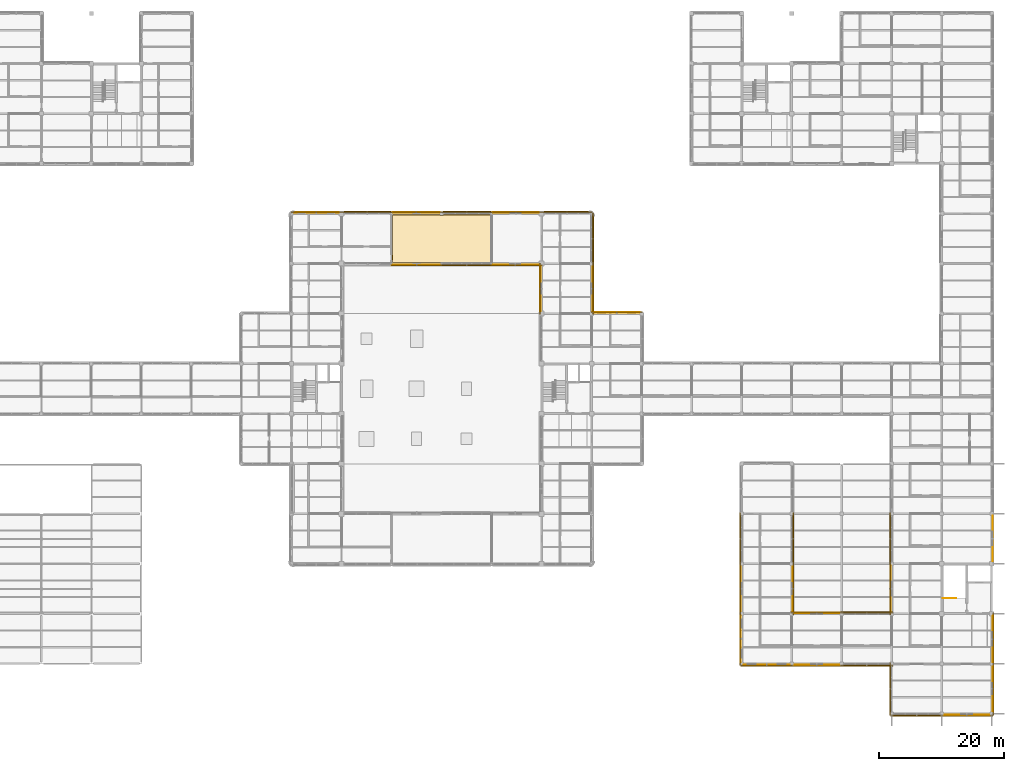
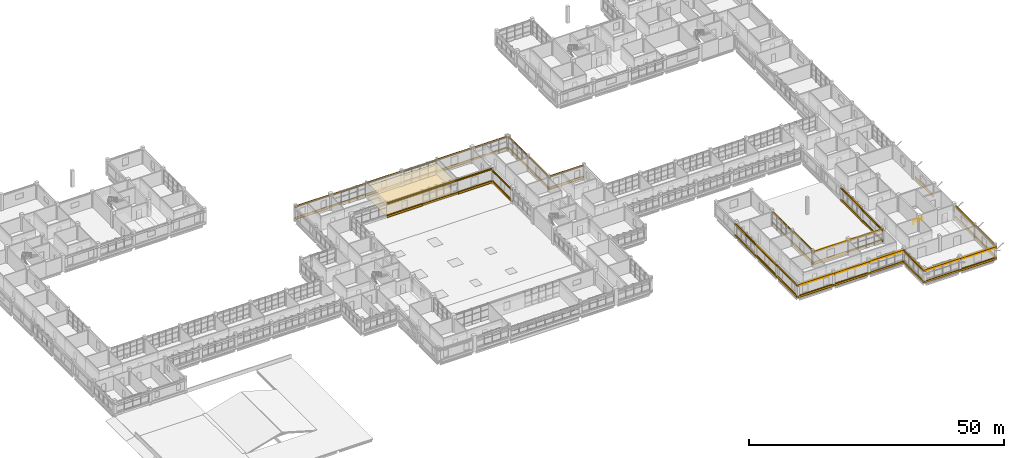
# One storey, part 102 of 107: 81 coverings, 32 shading devices, 1 railing.
"""IFC4 building model written with IfcOpenShell, lengths in metres."""

from ifc_helpers import new_model, si_unit, derived_unit, direction, frame, origin, origin_2d, place, context, subcontext, project, spatial, polyline, rectangle, circle, outline, extrude, material, layer, layer_set, material_profile, profile_set, type_object, element, save


model = new_model("IFC4")

# Units and contexts
model_context = context("Model", 3, precision=1e-05, world=origin(), true_north=direction((0.0, 1.0)))
body_context = subcontext(model_context, "Body", "Model", "MODEL_VIEW")
ifc_project = project(units=[si_unit("LENGTHUNIT", "METRE"), si_unit("AREAUNIT", "SQUARE_METRE"), si_unit("VOLUMEUNIT", "CUBIC_METRE"), si_unit("PLANEANGLEUNIT", "RADIAN"), si_unit("MASSUNIT", "GRAM", prefix="KILO"), derived_unit("THERMALTRANSMITTANCEUNIT", [(si_unit("MASSUNIT", "GRAM", prefix="KILO"), 1), (si_unit("TIMEUNIT", "SECOND"), -3), (si_unit("THERMODYNAMICTEMPERATUREUNIT", "KELVIN"), -1)])], contexts=[model_context])

# Site, building, storey
site_placement = place(None, origin())
site = spatial("IfcSite", under=ifc_project, at=site_placement, CompositionType="ELEMENT")
building_placement = place(site_placement, origin())
building = spatial("IfcBuilding", under=site, at=building_placement, Name="Veyamyaing Civic Hall", CompositionType="ELEMENT")
storey_placement = place(building_placement, frame((0.0, 0.0, 13.860107421875)))
storey = spatial("IfcBuildingStorey", under=building, at=storey_placement, Name="L03", CompositionType="ELEMENT", Elevation=13.860107421875)

# Coverings
ifc_material_1 = material(Name="Buff sandstone ashlar cladding", Category="masonry")
ifc_layer_1 = layer(ifc_material_1, 0.050048828125, Name="Buff sandstone ashlar cladding")
ifc_layer_set_1 = layer_set([ifc_layer_1], Name="Buff sandstone ashlar cladding")
covering_type_1 = type_object("IfcCoveringType", Name="CL-01", PredefinedType="CLADDING", material=ifc_layer_set_1)
covering_1_placement = place(storey_placement, frame((67.9375, 80.173583984375, 0.044921875), z_axis=(0.0, 0.0, 1.0), x_axis=(1.0, 0.0, 0.0)))
element("IfcCovering", 1, at=covering_1_placement, inside=storey, type_object=covering_type_1, Name="Facade spandrel cladding CL-01 L03 N 9.10", PredefinedType="CLADDING", context=body_context, shape_type="SweptSolid", body=[
    extrude(rectangle(XDim=7.27490234375, YDim=0.050048828125, at=origin_2d()), origin(), (0.0, 0.0, 1.0), 0.75),
])
covering_2_placement = place(storey_placement, frame((84.0, 71.826416015625, 0.044921875), z_axis=(0.0, 0.0, 1.0), x_axis=(1.0, 0.0, 0.0)))
element("IfcCovering", 2, at=covering_2_placement, inside=storey, type_object=covering_type_1, Name="Facade spandrel cladding CL-01 L03 S 11.10", PredefinedType="CLADDING", context=body_context, shape_type="SweptSolid", body=[
    extrude(rectangle(XDim=7.919921875, YDim=0.050048828125, at=origin_2d()), origin(), (0.0, 0.0, 1.0), 0.75),
])
covering_3_placement = place(storey_placement, frame((83.95458984375, 80.173583984375, 0.044921875), z_axis=(0.0, 0.0, 1.0), x_axis=(1.0, 0.0, 0.0)))
element("IfcCovering", 3, at=covering_3_placement, inside=storey, type_object=covering_type_1, Name="Facade spandrel cladding CL-01 L03 N 11.10", PredefinedType="CLADDING", context=body_context, shape_type="SweptSolid", body=[
    extrude(rectangle(XDim=7.490478515625, YDim=0.050048828125, at=origin_2d()), origin(), (0.0, 0.0, 1.0), 0.75),
])
covering_4_placement = place(storey_placement, frame((99.8076171875, 71.826416015625, 0.044921875), z_axis=(0.0, 0.0, 1.0), x_axis=(1.0, 0.0, 0.0)))
element("IfcCovering", 4, at=covering_4_placement, inside=storey, type_object=covering_type_1, Name="Facade spandrel cladding CL-01 L03 S 13.10", PredefinedType="CLADDING", context=body_context, shape_type="SweptSolid", body=[
    extrude(rectangle(XDim=7.534912109375, YDim=0.050048828125, at=origin_2d()), origin(), (0.0, 0.0, 1.0), 0.75),
])
covering_5_placement = place(storey_placement, frame((99.89208984375, 80.173583984375, 0.044921875), z_axis=(0.0, 0.0, 1.0), x_axis=(1.0, 0.0, 0.0)))
element("IfcCovering", 5, at=covering_5_placement, inside=storey, type_object=covering_type_1, Name="Facade spandrel cladding CL-01 L03 N 13.10", PredefinedType="CLADDING", context=body_context, shape_type="SweptSolid", body=[
    extrude(rectangle(XDim=7.365478515625, YDim=0.050048828125, at=origin_2d()), origin(), (0.0, 0.0, 1.0), 0.75),
])
covering_6_placement = place(storey_placement, frame((103.826416015625, 68.0, 0.044921875), z_axis=(0.0, 0.0, 1.0), x_axis=(0.0, 1.0, 0.0)))
element("IfcCovering", 6, at=covering_6_placement, inside=storey, type_object=covering_type_1, Name="Facade spandrel cladding CL-01 L03 W 14.9", PredefinedType="CLADDING", context=body_context, shape_type="SweptSolid", body=[
    extrude(rectangle(XDim=7.14990234375, YDim=0.050048828125, at=origin_2d()), origin(), (0.0, 0.0, 1.0), 0.75),
])
for number, where, z_axis, x_axis, name in (
    (7, (112.173583984375, 68.0, 0.044921875), (0.0, 0.0, 1.0), (0.0, 1.0, 0.0), "Facade spandrel cladding CL-01 L03 E 14.9"),
    (8, (116.0, 64.173583984375, 0.044921875), (0.0, 0.0, 1.0), (1.0, 0.0, 0.0), "Facade spandrel cladding CL-01 L03 N 15.8"),
    (9, (135.843994140625, 20.0, 0.044921875), (0.0, 0.0, 1.0), (0.0, 1.0, 0.0), "Facade spandrel cladding CL-01 L03 W 18.3"),
    (10, (144.156005859375, 20.0, 0.044921875), (0.0, 0.0, 1.0), (0.0, 1.0, 0.0), "Facade spandrel cladding CL-01 L03 E 18.3"),
    (11, (148.0, 7.843994140625, 0.044921875), (0.0, 0.0, 1.0), (1.0, 0.0, 0.0), "Facade spandrel cladding CL-01 L03 S 19.2"),
    (12, (148.0, 16.156005859375, 0.044921875), (0.0, 0.0, 1.0), (1.0, 0.0, 0.0), "Facade spandrel cladding CL-01 L03 N 19.2"),
    (13, (172.0, -0.156005859375, 0.044921875), (0.0, 0.0, 1.0), (1.0, 0.0, 0.0), "Facade spandrel cladding CL-01 L03 S 22.1"),
    (14, (176.156005859375, 4.0, 0.044921875), (0.0, 0.0, 1.0), (0.0, 1.0, 0.0), "Facade spandrel cladding CL-01 L03 E 22.1"),
):
    element("IfcCovering", number, at=place(storey_placement, frame(where, z_axis=z_axis, x_axis=x_axis)), inside=storey, type_object=covering_type_1, Name=name, PredefinedType="CLADDING", context=body_context, shape_type="SweptSolid", body=[
        extrude(rectangle(XDim=7.39990234375, YDim=0.050048828125, at=origin_2d()), origin(), (0.0, 0.0, 1.0), 0.75),
    ])
ifc_material_2 = material(Name="Turquoise glazed ceramic tile cladding", Category="masonry")
ifc_layer_2 = layer(ifc_material_2, 0.034912109375, Name="Turquoise glazed ceramic tile cladding")
ifc_layer_set_2 = layer_set([ifc_layer_2], Name="Turquoise glazed ceramic tile cladding")
covering_type_2 = type_object("IfcCoveringType", Name="CL-02", PredefinedType="CLADDING", material=ifc_layer_set_2)
for number, where, z_axis, x_axis, name in (
    (15, (140.0, 7.8515625, 0.044921875), (0.0, 0.0, 1.0), (1.0, 0.0, 0.0), "Facade spandrel cladding CL-02 L03 S 18.2"),
    (16, (135.8515625, 12.0, 0.044921875), (0.0, 0.0, 1.0), (0.0, 1.0, 0.0), "Facade spandrel cladding CL-02 L03 W 18.2"),
    (17, (159.8515625, 20.0, 0.044921875), (0.0, 0.0, 1.0), (0.0, 1.0, 0.0), "Facade spandrel cladding CL-02 L03 W 21.3"),
):
    element("IfcCovering", number, at=place(storey_placement, frame(where, z_axis=z_axis, x_axis=x_axis)), inside=storey, type_object=covering_type_2, Name=name, PredefinedType="CLADDING", context=body_context, shape_type="SweptSolid", body=[
        extrude(rectangle(XDim=7.39990234375, YDim=0.034912109375, at=origin_2d()), origin(), (0.0, 0.0, 1.0), 0.75),
    ])
for number, where, z_axis, x_axis, name in (
    (18, (176.1484375, 11.96240234375, 0.044921875), (0.0, 0.0, 1.0), (0.0, 1.0, 0.0), "Facade spandrel cladding CL-02 L03 E 22.2"),
    (19, (176.1484375, 28.03759765625, 0.044921875), (0.0, 0.0, 1.0), (0.0, 1.0, 0.0), "Facade spandrel cladding CL-02 L03 E 22.4"),
):
    element("IfcCovering", number, at=place(storey_placement, frame(where, z_axis=z_axis, x_axis=x_axis)), inside=storey, type_object=covering_type_2, Name=name, PredefinedType="CLADDING", context=body_context, shape_type="SweptSolid", body=[
        extrude(rectangle(XDim=7.324951171875, YDim=0.034912109375, at=origin_2d()), origin(), (0.0, 0.0, 1.0), 0.75),
    ])
ifc_material_3 = material(Name="White powder-coated aluminium 6063-T6", Category="aluminium")
ifc_layer_3 = layer(ifc_material_3, 0.2099609375, Name="White powder-coated aluminium 6063-T6")
ifc_layer_set_3 = layer_set([ifc_layer_3], Name="White powder-coated aluminium 6063-T6")
covering_type_3 = type_object("IfcCoveringType", Name="CL-03", PredefinedType="CLADDING", material=ifc_layer_set_3)
for number, where, z_axis, x_axis, name in (
    (20, (68.0, 80.239990234375, 2.98388671875), (0.0, 0.0, 1.0), (1.0, 0.0, 0.0), "Continuous white head fascia ribbon CL-03 L03 N 9.10"),
    (21, (68.0, 80.239990234375, 0.280029296875), (0.0, 0.0, 1.0), (1.0, 0.0, 0.0), "Continuous white sill fascia ribbon CL-03 L03 N 9.10"),
    (22, (76.0, 80.239990234375, 2.9189453125), (0.0, 0.0, 1.0), (1.0, 0.0, 0.0), "Continuous white head fascia ribbon CL-03 L03 N 10.10"),
    (23, (76.0, 80.239990234375, 0.280029296875), (0.0, 0.0, 1.0), (1.0, 0.0, 0.0), "Continuous white sill fascia ribbon CL-03 L03 N 10.10"),
    (24, (84.0, 71.760009765625, 3.344970703125), (0.0, 0.0, 1.0), (1.0, 0.0, 0.0), "Continuous white head fascia ribbon CL-03 L03 S 11.10"),
    (25, (84.0, 71.760009765625, 0.280029296875), (0.0, 0.0, 1.0), (1.0, 0.0, 0.0), "Continuous white sill fascia ribbon CL-03 L03 S 11.10"),
    (26, (84.0, 80.239990234375, 2.98193359375), (0.0, 0.0, 1.0), (1.0, 0.0, 0.0), "Continuous white head fascia ribbon CL-03 L03 N 11.10"),
    (27, (84.0, 80.239990234375, 0.280029296875), (0.0, 0.0, 1.0), (1.0, 0.0, 0.0), "Continuous white sill fascia ribbon CL-03 L03 N 11.10"),
    (28, (92.0, 71.760009765625, 3.344970703125), (0.0, 0.0, 1.0), (1.0, 0.0, 0.0), "Continuous white head fascia ribbon CL-03 L03 S 12.10"),
    (29, (92.0, 71.760009765625, 0.280029296875), (0.0, 0.0, 1.0), (1.0, 0.0, 0.0), "Continuous white sill fascia ribbon CL-03 L03 S 12.10"),
    (30, (92.0, 80.239990234375, 2.9150390625), (0.0, 0.0, 1.0), (1.0, 0.0, 0.0), "Continuous white head fascia ribbon CL-03 L03 N 12.10"),
    (31, (92.0, 80.239990234375, 0.280029296875), (0.0, 0.0, 1.0), (1.0, 0.0, 0.0), "Continuous white sill fascia ribbon CL-03 L03 N 12.10"),
    (32, (100.0, 71.760009765625, 3.344970703125), (0.0, 0.0, 1.0), (1.0, 0.0, 0.0), "Continuous white head fascia ribbon CL-03 L03 S 13.10"),
    (33, (100.0, 71.760009765625, 0.280029296875), (0.0, 0.0, 1.0), (1.0, 0.0, 0.0), "Continuous white sill fascia ribbon CL-03 L03 S 13.10"),
    (34, (100.0, 80.239990234375, 2.97900390625), (0.0, 0.0, 1.0), (1.0, 0.0, 0.0), "Continuous white head fascia ribbon CL-03 L03 N 13.10"),
    (35, (100.0, 80.239990234375, 0.280029296875), (0.0, 0.0, 1.0), (1.0, 0.0, 0.0), "Continuous white sill fascia ribbon CL-03 L03 N 13.10"),
    (36, (103.760009765625, 68.0, 2.919921875), (0.0, 0.0, 1.0), (0.0, 1.0, 0.0), "Continuous white head fascia ribbon CL-03 L03 W 14.9"),
    (37, (103.760009765625, 68.0, 0.280029296875), (0.0, 0.0, 1.0), (0.0, 1.0, 0.0), "Continuous white sill fascia ribbon CL-03 L03 W 14.9"),
    (38, (112.239990234375, 68.0, 2.98388671875), (0.0, 0.0, 1.0), (0.0, 1.0, 0.0), "Continuous white head fascia ribbon CL-03 L03 E 14.9"),
    (39, (112.239990234375, 68.0, 0.280029296875), (0.0, 0.0, 1.0), (0.0, 1.0, 0.0), "Continuous white sill fascia ribbon CL-03 L03 E 14.9"),
    (40, (108.0, 80.239990234375, 2.923828125), (0.0, 0.0, 1.0), (1.0, 0.0, 0.0), "Continuous white head fascia ribbon CL-03 L03 N 14.10"),
    (41, (108.0, 80.239990234375, 0.280029296875), (0.0, 0.0, 1.0), (1.0, 0.0, 0.0), "Continuous white sill fascia ribbon CL-03 L03 N 14.10"),
    (42, (112.239990234375, 76.0, 2.923828125), (0.0, 0.0, 1.0), (0.0, 1.0, 0.0), "Continuous white head fascia ribbon CL-03 L03 E 14.10"),
    (43, (112.239990234375, 76.0, 0.280029296875), (0.0, 0.0, 1.0), (0.0, 1.0, 0.0), "Continuous white sill fascia ribbon CL-03 L03 E 14.10"),
    (44, (116.0, 64.239990234375, 2.98388671875), (0.0, 0.0, 1.0), (1.0, 0.0, 0.0), "Continuous white head fascia ribbon CL-03 L03 N 15.8"),
    (45, (116.0, 64.239990234375, 0.280029296875), (0.0, 0.0, 1.0), (1.0, 0.0, 0.0), "Continuous white sill fascia ribbon CL-03 L03 N 15.8"),
):
    element("IfcCovering", number, at=place(storey_placement, frame(where, z_axis=z_axis, x_axis=x_axis)), inside=storey, type_object=covering_type_3, Name=name, PredefinedType="CLADDING", context=body_context, shape_type="SweptSolid", body=[
        extrude(rectangle(XDim=8.1201171875, YDim=0.2099609375, at=origin_2d()), origin(), (0.0, 0.0, 1.0), 0.39990234375),
    ])
for number, where, z_axis, x_axis, name in (
    (46, (140.0, 7.760009765625, 2.97900390625), (0.0, 0.0, 1.0), (1.0, 0.0, 0.0), "Continuous white head fascia ribbon CL-03 L03 S 18.2"),
    (47, (140.0, 7.760009765625, 0.280029296875), (0.0, 0.0, 1.0), (1.0, 0.0, 0.0), "Continuous white sill fascia ribbon CL-03 L03 S 18.2"),
    (48, (135.760009765625, 12.0, 2.97900390625), (0.0, 0.0, 1.0), (0.0, 1.0, 0.0), "Continuous white head fascia ribbon CL-03 L03 W 18.2"),
    (49, (135.760009765625, 12.0, 0.280029296875), (0.0, 0.0, 1.0), (0.0, 1.0, 0.0), "Continuous white sill fascia ribbon CL-03 L03 W 18.2"),
    (50, (135.760009765625, 20.0, 2.9189453125), (0.0, 0.0, 1.0), (0.0, 1.0, 0.0), "Continuous white head fascia ribbon CL-03 L03 W 18.3"),
    (51, (135.760009765625, 20.0, 0.280029296875), (0.0, 0.0, 1.0), (0.0, 1.0, 0.0), "Continuous white sill fascia ribbon CL-03 L03 W 18.3"),
    (52, (144.239990234375, 20.0, 3.073974609375), (0.0, 0.0, 1.0), (0.0, 1.0, 0.0), "Continuous white head fascia ribbon CL-03 L03 E 18.3"),
    (53, (144.239990234375, 20.0, 0.280029296875), (0.0, 0.0, 1.0), (0.0, 1.0, 0.0), "Continuous white sill fascia ribbon CL-03 L03 E 18.3"),
    (54, (135.760009765625, 28.0, 2.98193359375), (0.0, 0.0, 1.0), (0.0, 1.0, 0.0), "Continuous white head fascia ribbon CL-03 L03 W 18.4"),
    (55, (135.760009765625, 28.0, 0.280029296875), (0.0, 0.0, 1.0), (0.0, 1.0, 0.0), "Continuous white sill fascia ribbon CL-03 L03 W 18.4"),
    (56, (144.239990234375, 28.0, 2.868896484375), (0.0, 0.0, 1.0), (0.0, 1.0, 0.0), "Continuous white head fascia ribbon CL-03 L03 E 18.4"),
    (57, (144.239990234375, 28.0, 0.280029296875), (0.0, 0.0, 1.0), (0.0, 1.0, 0.0), "Continuous white sill fascia ribbon CL-03 L03 E 18.4"),
    (58, (148.0, 7.760009765625, 2.923828125), (0.0, 0.0, 1.0), (1.0, 0.0, 0.0), "Continuous white head fascia ribbon CL-03 L03 S 19.2"),
    (59, (148.0, 7.760009765625, 0.280029296875), (0.0, 0.0, 1.0), (1.0, 0.0, 0.0), "Continuous white sill fascia ribbon CL-03 L03 S 19.2"),
    (60, (148.0, 16.239990234375, 2.8740234375), (0.0, 0.0, 1.0), (1.0, 0.0, 0.0), "Continuous white head fascia ribbon CL-03 L03 N 19.2"),
    (61, (148.0, 16.239990234375, 0.280029296875), (0.0, 0.0, 1.0), (1.0, 0.0, 0.0), "Continuous white sill fascia ribbon CL-03 L03 N 19.2"),
    (62, (156.0, 7.760009765625, 2.987060546875), (0.0, 0.0, 1.0), (1.0, 0.0, 0.0), "Continuous white head fascia ribbon CL-03 L03 S 20.2"),
    (63, (156.0, 7.760009765625, 0.280029296875), (0.0, 0.0, 1.0), (1.0, 0.0, 0.0), "Continuous white sill fascia ribbon CL-03 L03 S 20.2"),
    (64, (156.0, 16.239990234375, 2.8798828125), (0.0, 0.0, 1.0), (1.0, 0.0, 0.0), "Continuous white head fascia ribbon CL-03 L03 N 20.2"),
    (65, (156.0, 16.239990234375, 0.280029296875), (0.0, 0.0, 1.0), (1.0, 0.0, 0.0), "Continuous white sill fascia ribbon CL-03 L03 N 20.2"),
    (66, (164.0, -0.239990234375, 2.98193359375), (0.0, 0.0, 1.0), (1.0, 0.0, 0.0), "Continuous white head fascia ribbon CL-03 L03 S 21.1"),
    (67, (164.0, -0.239990234375, 0.280029296875), (0.0, 0.0, 1.0), (1.0, 0.0, 0.0), "Continuous white sill fascia ribbon CL-03 L03 S 21.1"),
    (68, (159.760009765625, 4.0, 2.98193359375), (0.0, 0.0, 1.0), (0.0, 1.0, 0.0), "Continuous white head fascia ribbon CL-03 L03 W 21.1"),
    (69, (159.760009765625, 4.0, 0.280029296875), (0.0, 0.0, 1.0), (0.0, 1.0, 0.0), "Continuous white sill fascia ribbon CL-03 L03 W 21.1"),
    (70, (159.760009765625, 20.0, 2.875), (0.0, 0.0, 1.0), (0.0, 1.0, 0.0), "Continuous white head fascia ribbon CL-03 L03 W 21.3"),
    (71, (159.760009765625, 20.0, 0.280029296875), (0.0, 0.0, 1.0), (0.0, 1.0, 0.0), "Continuous white sill fascia ribbon CL-03 L03 W 21.3"),
    (72, (159.760009765625, 28.0, 3.073974609375), (0.0, 0.0, 1.0), (0.0, 1.0, 0.0), "Continuous white head fascia ribbon CL-03 L03 W 21.4"),
    (73, (159.760009765625, 28.0, 0.280029296875), (0.0, 0.0, 1.0), (0.0, 1.0, 0.0), "Continuous white sill fascia ribbon CL-03 L03 W 21.4"),
    (74, (172.0, -0.239990234375, 2.9150390625), (0.0, 0.0, 1.0), (1.0, 0.0, 0.0), "Continuous white head fascia ribbon CL-03 L03 S 22.1"),
    (75, (172.0, -0.239990234375, 0.280029296875), (0.0, 0.0, 1.0), (1.0, 0.0, 0.0), "Continuous white sill fascia ribbon CL-03 L03 S 22.1"),
    (76, (176.239990234375, 4.0, 2.97900390625), (0.0, 0.0, 1.0), (0.0, 1.0, 0.0), "Continuous white head fascia ribbon CL-03 L03 E 22.1"),
    (77, (176.239990234375, 4.0, 0.280029296875), (0.0, 0.0, 1.0), (0.0, 1.0, 0.0), "Continuous white sill fascia ribbon CL-03 L03 E 22.1"),
    (78, (176.239990234375, 12.0, 2.9189453125), (0.0, 0.0, 1.0), (0.0, 1.0, 0.0), "Continuous white head fascia ribbon CL-03 L03 E 22.2"),
    (79, (176.239990234375, 12.0, 0.280029296875), (0.0, 0.0, 1.0), (0.0, 1.0, 0.0), "Continuous white sill fascia ribbon CL-03 L03 E 22.2"),
):
    element("IfcCovering", number, at=place(storey_placement, frame(where, z_axis=z_axis, x_axis=x_axis)), inside=storey, type_object=covering_type_3, Name=name, PredefinedType="CLADDING", context=body_context, shape_type="SweptSolid", body=[
        extrude(rectangle(XDim=8.360107421875, YDim=0.2099609375, at=origin_2d()), origin(), (0.0, 0.0, 1.0), 0.39990234375),
    ])
ifc_material_4 = material(Name="Perforated acoustic gypsum ceiling board")
ifc_layer_4 = layer(ifc_material_4, 0.02490234375, Name="Perforated acoustic gypsum ceiling board")
ifc_layer_set_4 = layer_set([ifc_layer_4], Name="Perforated acoustic gypsum ceiling board")
covering_type_4 = type_object("IfcCoveringType", Name="CLG-01", PredefinedType="CEILING", material=ifc_layer_set_4)
covering_7_placement = place(storey_placement, frame((0.0, 0.0, 2.699951171875)))
element("IfcCovering", 80, at=covering_7_placement, inside=storey, type_object=covering_type_4, Name="Acoustic suspended ceiling CLG-01 L03-H02", PredefinedType="CEILING", context=body_context, shape_type="SweptSolid", body=[
    extrude(outline(polyline([(80.16943359375, 79.8369140625), (80.16943359375, 79.844970703125), (87.739990234375, 79.844970703125), (87.739990234375, 79.739990234375), (88.260009765625, 79.739990234375), (88.260009765625, 79.844970703125), (95.83056640625, 79.844970703125), (95.83056640625, 79.8369140625), (95.905029296875, 79.8369140625), (95.905029296875, 72.155029296875), (80.094970703125, 72.155029296875), (80.094970703125, 79.8369140625), (80.16943359375, 79.8369140625)])), origin(), (0.0, 0.0, 1.0), 0.02490234375),
])
ifc_material_5 = material(Name="Polished Mandalay marble and terrazzo flooring", Category="masonry")
ifc_layer_5 = layer(ifc_material_5, 0.030029296875, Name="Polished Mandalay marble and terrazzo flooring")
ifc_layer_set_5 = layer_set([ifc_layer_5], Name="Polished Mandalay marble and terrazzo flooring")
covering_type_5 = type_object("IfcCoveringType", Name="FLR-01", PredefinedType="FLOORING", material=ifc_layer_set_5)
covering_8_placement = place(storey_placement, origin())
element("IfcCovering", 81, at=covering_8_placement, inside=storey, type_object=covering_type_5, Name="Stone and terrazzo flooring FLR-01 L03-H02", PredefinedType="FLOORING", context=body_context, shape_type="SweptSolid", body=[
    extrude(outline(polyline([(87.715087890625, 79.820068359375), (87.715087890625, 79.715087890625), (88.284912109375, 79.715087890625), (88.284912109375, 79.820068359375), (95.805419921875, 79.820068359375), (95.805419921875, 79.81201171875), (95.8798828125, 79.81201171875), (95.8798828125, 72.179931640625), (80.1201171875, 72.179931640625), (80.1201171875, 79.81201171875), (80.194580078125, 79.81201171875), (80.194580078125, 79.820068359375), (87.715087890625, 79.820068359375)])), origin(), (0.0, 0.0, 1.0), 0.02978515625),
])

# Shading devices
ifc_material_6 = material(Name="Anodised aluminium 6063-T6", Category="aluminium")
ifc_material_profile_1 = material_profile(ifc_material_6, rectangle(XDim=0.044921875, YDim=0.199951171875, at=origin_2d()), Name="LOUVRE-BLADE-45X200")
ifc_profile_set_1 = profile_set([ifc_material_profile_1], Name="Anodised aluminium 6063-T6")
shading_device_type_1 = type_object("IfcShadingDeviceType", Name="LV-02", PredefinedType="JALOUSIE", material=ifc_profile_set_1)
shading_device_1_placement = place(storey_placement, frame((176.219970703125, 0.260009765625, 2.808837890625), z_axis=(0.0, 1.0, 0.0), x_axis=(-1.0, 0.0, 0.0)))
element("IfcShadingDevice", 82, at=shading_device_1_placement, inside=storey, type_object=shading_device_type_1, Name="Monsoon solar louvre LV-02 L03 E 22.1", PredefinedType="JALOUSIE", context=body_context, shape_type="SweptSolid", body=[
    extrude(rectangle(XDim=0.044921875, YDim=0.199951171875, at=origin_2d()), origin(), (0.0, 0.0, 1.0), 7.47998046875),
])
shading_device_2_placement = place(storey_placement, frame((176.219970703125, 8.260009765625, 2.748779296875), z_axis=(0.0, 1.0, 0.0), x_axis=(-1.0, 0.0, 0.0)))
element("IfcShadingDevice", 83, at=shading_device_2_placement, inside=storey, type_object=shading_device_type_1, Name="Monsoon solar louvre LV-02 L03 E 22.2", PredefinedType="JALOUSIE", context=body_context, shape_type="SweptSolid", body=[
    extrude(rectangle(XDim=0.044921875, YDim=0.199951171875, at=origin_2d()), origin(), (0.0, 0.0, 1.0), 7.405029296875),
])

# Railing
ifc_material_7 = material(Name="Steel S355J2", Category="steel")
railing_type = type_object("IfcRailingType", Name="RL-01", PredefinedType="BALUSTRADE", material=ifc_material_7)
railing_placement = place(storey_placement, frame((168.159912109375, 18.47998046875, 0.0)))
element("IfcRailing", 84, at=railing_placement, inside=storey, type_object=railing_type, Name="Top-landing stair well guard RL-01 ST-10 L03", PredefinedType="BALUSTRADE", context=body_context, shape_type="SweptSolid", body=[
    extrude(circle(Radius=0.02392578125, at=origin_2d()), frame((0.0, 0.0, 1.076171875), z_axis=(1.0, 0.0, 0.0), x_axis=(0.0, 1.0, 0.0)), (0.0, 0.0, 1.0), 2.10009765625),
    extrude(circle(Radius=0.01416015625, at=origin_2d()), frame((0.0, 0.0, 0.572021484375), z_axis=(1.0, 0.0, 0.0), x_axis=(0.0, 1.0, 0.0)), (0.0, 0.0, 1.0), 2.10009765625),
    extrude(circle(Radius=0.02099609375, at=origin_2d()), origin(), (0.0, 0.0, 1.0), 1.052001953125),
    extrude(circle(Radius=0.02099609375, at=origin_2d()), frame((1.050048828125, 0.0, 0.0)), (0.0, 0.0, 1.0), 1.052001953125),
    extrude(circle(Radius=0.02099609375, at=origin_2d()), frame((2.10009765625, 0.0, 0.0)), (0.0, 0.0, 1.0), 1.052001953125),
])

# Shading devices
ifc_material_profile_2 = material_profile(ifc_material_3, circle(Radius=0.110107421875, at=origin_2d()), Name="SHADE-TUBE-220")
ifc_profile_set_2 = profile_set([ifc_material_profile_2], Name="White powder-coated aluminium 6063-T6")
shading_device_type_2 = type_object("IfcShadingDeviceType", Name="SH-01", PredefinedType="USERDEFINED", material=ifc_profile_set_2)
shading_device_3_placement = place(storey_placement, frame((64.260009765625, 80.239990234375, 3.143798828125), z_axis=(1.0, 0.0, 0.0), x_axis=(0.0, 1.0, 0.0)))
element("IfcShadingDevice", 85, at=shading_device_3_placement, inside=storey, type_object=shading_device_type_2, Name="Horizontal white sunshade ribbon SH-01 L03 N 9.10", ObjectType="SUNSHADE", PredefinedType="USERDEFINED", context=body_context, shape_type="SweptSolid", body=[
    extrude(circle(Radius=0.110107421875, at=origin_2d()), origin(), (0.0, 0.0, 1.0), 7.35498046875),
])
shading_device_4_placement = place(storey_placement, frame((72.385009765625, 80.239990234375, 3.078857421875), z_axis=(1.0, 0.0, 0.0), x_axis=(0.0, 1.0, 0.0)))
element("IfcShadingDevice", 86, at=shading_device_4_placement, inside=storey, type_object=shading_device_type_2, Name="Horizontal white sunshade ribbon SH-01 L03 N 10.10", ObjectType="SUNSHADE", PredefinedType="USERDEFINED", context=body_context, shape_type="SweptSolid", body=[
    extrude(circle(Radius=0.110107421875, at=origin_2d()), origin(), (0.0, 0.0, 1.0), 7.445556640625),
])
shading_device_5_placement = place(storey_placement, frame((80.0, 71.760009765625, 3.5048828125), z_axis=(1.0, 0.0, 0.0), x_axis=(0.0, 1.0, 0.0)))
element("IfcShadingDevice", 87, at=shading_device_5_placement, inside=storey, type_object=shading_device_type_2, Name="Horizontal white sunshade ribbon SH-01 L03 S 11.10", ObjectType="SUNSHADE", PredefinedType="USERDEFINED", context=body_context, shape_type="SweptSolid", body=[
    extrude(circle(Radius=0.110107421875, at=origin_2d()), origin(), (0.0, 0.0, 1.0), 8.0),
])
shading_device_6_placement = place(storey_placement, frame((80.16943359375, 80.239990234375, 3.141845703125), z_axis=(1.0, 0.0, 0.0), x_axis=(0.0, 1.0, 0.0)))
element("IfcShadingDevice", 88, at=shading_device_6_placement, inside=storey, type_object=shading_device_type_2, Name="Horizontal white sunshade ribbon SH-01 L03 N 11.10", ObjectType="SUNSHADE", PredefinedType="USERDEFINED", context=body_context, shape_type="SweptSolid", body=[
    extrude(circle(Radius=0.110107421875, at=origin_2d()), origin(), (0.0, 0.0, 1.0), 7.570556640625),
])
shading_device_7_placement = place(storey_placement, frame((88.0, 71.760009765625, 3.5048828125), z_axis=(1.0, 0.0, 0.0), x_axis=(0.0, 1.0, 0.0)))
element("IfcShadingDevice", 89, at=shading_device_7_placement, inside=storey, type_object=shading_device_type_2, Name="Horizontal white sunshade ribbon SH-01 L03 S 12.10", ObjectType="SUNSHADE", PredefinedType="USERDEFINED", context=body_context, shape_type="SweptSolid", body=[
    extrude(circle(Radius=0.110107421875, at=origin_2d()), origin(), (0.0, 0.0, 1.0), 8.0),
])
shading_device_8_placement = place(storey_placement, frame((88.260009765625, 80.239990234375, 3.074951171875), z_axis=(1.0, 0.0, 0.0), x_axis=(0.0, 1.0, 0.0)))
element("IfcShadingDevice", 90, at=shading_device_8_placement, inside=storey, type_object=shading_device_type_2, Name="Horizontal white sunshade ribbon SH-01 L03 N 12.10", ObjectType="SUNSHADE", PredefinedType="USERDEFINED", context=body_context, shape_type="SweptSolid", body=[
    extrude(circle(Radius=0.110107421875, at=origin_2d()), origin(), (0.0, 0.0, 1.0), 7.570556640625),
])
shading_device_9_placement = place(storey_placement, frame((96.0, 71.760009765625, 3.5048828125), z_axis=(1.0, 0.0, 0.0), x_axis=(0.0, 1.0, 0.0)))
element("IfcShadingDevice", 91, at=shading_device_9_placement, inside=storey, type_object=shading_device_type_2, Name="Horizontal white sunshade ribbon SH-01 L03 S 13.10", ObjectType="SUNSHADE", PredefinedType="USERDEFINED", context=body_context, shape_type="SweptSolid", body=[
    extrude(circle(Radius=0.110107421875, at=origin_2d()), origin(), (0.0, 0.0, 1.0), 7.614990234375),
])
shading_device_10_placement = place(storey_placement, frame((96.16943359375, 80.239990234375, 3.138916015625), z_axis=(1.0, 0.0, 0.0), x_axis=(0.0, 1.0, 0.0)))
element("IfcShadingDevice", 92, at=shading_device_10_placement, inside=storey, type_object=shading_device_type_2, Name="Horizontal white sunshade ribbon SH-01 L03 N 13.10", ObjectType="SUNSHADE", PredefinedType="USERDEFINED", context=body_context, shape_type="SweptSolid", body=[
    extrude(circle(Radius=0.110107421875, at=origin_2d()), origin(), (0.0, 0.0, 1.0), 7.445556640625),
])
shading_device_11_placement = place(storey_placement, frame((103.760009765625, 64.385009765625, 3.079833984375), z_axis=(0.0, 1.0, 0.0), x_axis=(-1.0, 0.0, 0.0)))
element("IfcShadingDevice", 93, at=shading_device_11_placement, inside=storey, type_object=shading_device_type_2, Name="Horizontal white sunshade ribbon SH-01 L03 W 14.9", ObjectType="SUNSHADE", PredefinedType="USERDEFINED", context=body_context, shape_type="SweptSolid", body=[
    extrude(circle(Radius=0.110107421875, at=origin_2d()), origin(), (0.0, 0.0, 1.0), 7.22998046875),
])
shading_device_12_placement = place(storey_placement, frame((112.239990234375, 64.260009765625, 3.143798828125), z_axis=(0.0, 1.0, 0.0), x_axis=(-1.0, 0.0, 0.0)))
element("IfcShadingDevice", 94, at=shading_device_12_placement, inside=storey, type_object=shading_device_type_2, Name="Horizontal white sunshade ribbon SH-01 L03 E 14.9", ObjectType="SUNSHADE", PredefinedType="USERDEFINED", context=body_context, shape_type="SweptSolid", body=[
    extrude(circle(Radius=0.110107421875, at=origin_2d()), origin(), (0.0, 0.0, 1.0), 7.47998046875),
])
shading_device_13_placement = place(storey_placement, frame((104.385009765625, 80.239990234375, 3.083984375), z_axis=(1.0, 0.0, 0.0), x_axis=(0.0, 1.0, 0.0)))
element("IfcShadingDevice", 95, at=shading_device_13_placement, inside=storey, type_object=shading_device_type_2, Name="Horizontal white sunshade ribbon SH-01 L03 N 14.10", ObjectType="SUNSHADE", PredefinedType="USERDEFINED", context=body_context, shape_type="SweptSolid", body=[
    extrude(circle(Radius=0.110107421875, at=origin_2d()), origin(), (0.0, 0.0, 1.0), 7.35498046875),
])
for number, where, z_axis, x_axis, name in (
    (96, (112.239990234375, 72.260009765625, 3.083984375), (0.0, 1.0, 0.0), (-1.0, 0.0, 0.0), "Horizontal white sunshade ribbon SH-01 L03 E 14.10"),
    (97, (112.260009765625, 64.239990234375, 3.143798828125), (1.0, 0.0, 0.0), (0.0, 1.0, 0.0), "Horizontal white sunshade ribbon SH-01 L03 N 15.8"),
):
    element("IfcShadingDevice", number, at=place(storey_placement, frame(where, z_axis=z_axis, x_axis=x_axis)), inside=storey, type_object=shading_device_type_2, Name=name, ObjectType="SUNSHADE", PredefinedType="USERDEFINED", context=body_context, shape_type="SweptSolid", body=[
        extrude(circle(Radius=0.110107421875, at=origin_2d()), origin(), (0.0, 0.0, 1.0), 7.47998046875),
    ])
ifc_material_profile_3 = material_profile(ifc_material_3, circle(Radius=0.090087890625, at=origin_2d()), Name="SHADE-TUBE-180")
ifc_profile_set_3 = profile_set([ifc_material_profile_3], Name="White powder-coated aluminium 6063-T6")
shading_device_type_3 = type_object("IfcShadingDeviceType", Name="SH-02", PredefinedType="USERDEFINED", material=ifc_profile_set_3)
for number, where, z_axis, x_axis, name in (
    (98, (136.260009765625, 7.760009765625, 3.138916015625), (1.0, 0.0, 0.0), (0.0, 1.0, 0.0), "Horizontal white sunshade ribbon SH-02 L03 S 18.2"),
    (99, (135.760009765625, 8.260009765625, 3.138916015625), (0.0, 1.0, 0.0), (-1.0, 0.0, 0.0), "Horizontal white sunshade ribbon SH-02 L03 W 18.2"),
    (100, (135.760009765625, 16.260009765625, 3.078857421875), (0.0, 1.0, 0.0), (-1.0, 0.0, 0.0), "Horizontal white sunshade ribbon SH-02 L03 W 18.3"),
    (101, (144.239990234375, 16.260009765625, 3.23388671875), (0.0, 1.0, 0.0), (-1.0, 0.0, 0.0), "Horizontal white sunshade ribbon SH-02 L03 E 18.3"),
    (102, (135.760009765625, 24.260009765625, 3.141845703125), (0.0, 1.0, 0.0), (-1.0, 0.0, 0.0), "Horizontal white sunshade ribbon SH-02 L03 W 18.4"),
    (103, (144.239990234375, 24.260009765625, 3.02880859375), (0.0, 1.0, 0.0), (-1.0, 0.0, 0.0), "Horizontal white sunshade ribbon SH-02 L03 E 18.4"),
    (104, (144.260009765625, 7.760009765625, 3.083984375), (1.0, 0.0, 0.0), (0.0, 1.0, 0.0), "Horizontal white sunshade ribbon SH-02 L03 S 19.2"),
    (105, (144.260009765625, 16.239990234375, 3.033935546875), (1.0, 0.0, 0.0), (0.0, 1.0, 0.0), "Horizontal white sunshade ribbon SH-02 L03 N 19.2"),
    (106, (152.260009765625, 7.760009765625, 3.14697265625), (1.0, 0.0, 0.0), (0.0, 1.0, 0.0), "Horizontal white sunshade ribbon SH-02 L03 S 20.2"),
    (107, (152.260009765625, 16.239990234375, 3.039794921875), (1.0, 0.0, 0.0), (0.0, 1.0, 0.0), "Horizontal white sunshade ribbon SH-02 L03 N 20.2"),
    (108, (160.260009765625, -0.239990234375, 3.141845703125), (1.0, 0.0, 0.0), (0.0, 1.0, 0.0), "Horizontal white sunshade ribbon SH-02 L03 S 21.1"),
    (109, (159.760009765625, 0.260009765625, 3.141845703125), (0.0, 1.0, 0.0), (-1.0, 0.0, 0.0), "Horizontal white sunshade ribbon SH-02 L03 W 21.1"),
    (110, (159.760009765625, 16.260009765625, 3.034912109375), (0.0, 1.0, 0.0), (-1.0, 0.0, 0.0), "Horizontal white sunshade ribbon SH-02 L03 W 21.3"),
    (111, (159.760009765625, 24.260009765625, 3.23388671875), (0.0, 1.0, 0.0), (-1.0, 0.0, 0.0), "Horizontal white sunshade ribbon SH-02 L03 W 21.4"),
    (112, (168.260009765625, -0.239990234375, 3.074951171875), (1.0, 0.0, 0.0), (0.0, 1.0, 0.0), "Horizontal white sunshade ribbon SH-02 L03 S 22.1"),
    (113, (176.239990234375, 0.260009765625, 3.138916015625), (0.0, 1.0, 0.0), (-1.0, 0.0, 0.0), "Horizontal white sunshade ribbon SH-02 L03 E 22.1"),
):
    element("IfcShadingDevice", number, at=place(storey_placement, frame(where, z_axis=z_axis, x_axis=x_axis)), inside=storey, type_object=shading_device_type_3, Name=name, ObjectType="SUNSHADE", PredefinedType="USERDEFINED", context=body_context, shape_type="SweptSolid", body=[
        extrude(circle(Radius=0.090087890625, at=origin_2d()), origin(), (0.0, 0.0, 1.0), 7.47998046875),
    ])
shading_device_14_placement = place(storey_placement, frame((176.239990234375, 8.260009765625, 3.078857421875), z_axis=(0.0, 1.0, 0.0), x_axis=(-1.0, 0.0, 0.0)))
element("IfcShadingDevice", 114, at=shading_device_14_placement, inside=storey, type_object=shading_device_type_3, Name="Horizontal white sunshade ribbon SH-02 L03 E 22.2", ObjectType="SUNSHADE", PredefinedType="USERDEFINED", context=body_context, shape_type="SweptSolid", body=[
    extrude(circle(Radius=0.090087890625, at=origin_2d()), origin(), (0.0, 0.0, 1.0), 7.405029296875),
])

save(model, "model.ifc")
